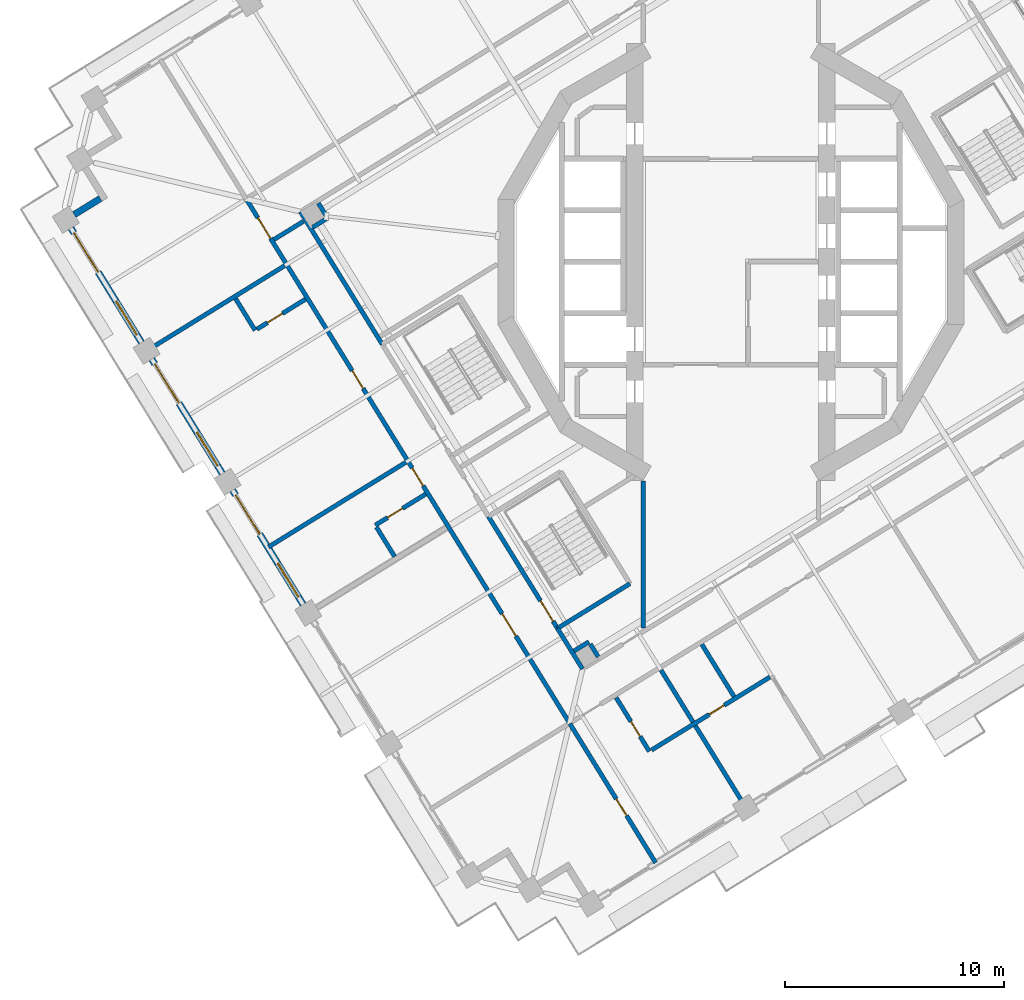
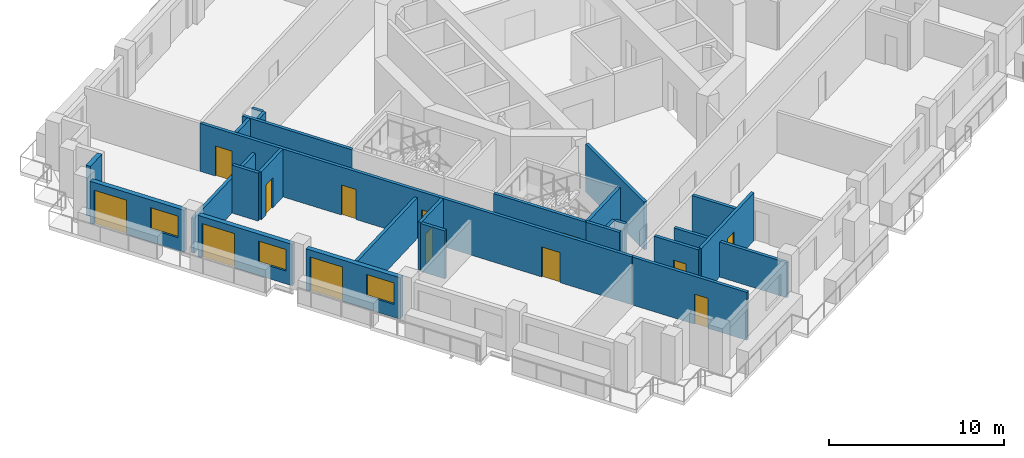
# One storey, part 7 of 21: 26 walls, 13 doors, 3 windows, 16 openings.
"""IFC4 building model written with IfcOpenShell, lengths in metres."""

import ifcopenshell
import ifcopenshell.guid

model = None  # the IFC model being written
_history = None  # IfcOwnerHistory: only IFC2X3 demands one
_inside = {}  # id of a spatial element -> (the spatial element, [elements in it])
_under = {}  # id of a project, library or spatial element -> (it, [spatial elements below it])
_declared = {}  # id of a project -> (the project, [libraries it declares])
_typed = {}  # id of a type object -> (the type object, [elements of that type])
_made_of = {}  # id of a material, layer set ... -> (it, [elements and type objects made of it])


def new_model(schema):
    """Start an empty IFC model of exactly this schema.

    Asked for "IFC4X3", IfcOpenShell would pick the latest addendum, in which some entities
    have other attributes; the version numbers below select the first issue.
    IFC2X3 requires an IfcOwnerHistory on every rooted entity: one is made here for all.
    """
    global model, _history
    if schema == "IFC4X3":
        model = ifcopenshell.file(schema_version=(4, 3, 0, 0))
    else:
        model = ifcopenshell.file(schema=schema)
    _inside.clear()
    _under.clear()
    _declared.clear()
    _typed.clear()
    _made_of.clear()
    _history = None
    if model.schema == "IFC2X3":
        org = make("IfcOrganization", Name="unknown")
        user = make(
            "IfcPersonAndOrganization",
            ThePerson=make("IfcPerson", FamilyName="unknown"),
            TheOrganization=org,
        )
        app = make(
            "IfcApplication",
            ApplicationDeveloper=org,
            Version="unknown",
            ApplicationFullName="unknown",
            ApplicationIdentifier="unknown",
        )
        _history = make(
            "IfcOwnerHistory",
            OwningUser=user,
            OwningApplication=app,
            ChangeAction="ADDED",
            CreationDate=0,
        )
    return model


def make(cls, **values):
    """One entity of the class cls with the attributes given. An attribute that is None is left unset."""
    return model.create_entity(
        cls, **{name: value for name, value in values.items() if value is not None}
    )


def rooted(cls, **values):
    """An entity with a GlobalId (a new one), such as an element, a storey or a relation."""
    return make(cls, GlobalId=ifcopenshell.guid.new(), OwnerHistory=_history, **values)


def si_unit(unit_type, name, prefix=None):
    """IfcSIUnit, for example si_unit("LENGTHUNIT", "METRE", prefix="MILLI")."""
    return make("IfcSIUnit", UnitType=unit_type, Prefix=prefix, Name=name)


def assignment(units):
    """IfcUnitAssignment: the units of a project."""
    return None if units is None else make("IfcUnitAssignment", Units=units)


def point(xyz):
    """IfcCartesianPoint."""
    return None if xyz is None else make("IfcCartesianPoint", Coordinates=xyz)


def direction(xyz):
    """IfcDirection."""
    return None if xyz is None else make("IfcDirection", DirectionRatios=xyz)


def frame(location, z_axis=None, x_axis=None):
    """IfcAxis2Placement3D, a coordinate frame: its origin and axes. An axis left out is left unset."""
    return make(
        "IfcAxis2Placement3D",
        Location=point(location),
        Axis=direction(z_axis),
        RefDirection=direction(x_axis),
    )


def frame_2d(location, x_axis=None):
    """IfcAxis2Placement2D, a coordinate frame in the plane: its origin and x axis."""
    return make(
        "IfcAxis2Placement2D", Location=point(location), RefDirection=direction(x_axis)
    )


def origin():
    """The frame at (0, 0, 0) with its axes left unset."""
    return frame((0.0, 0.0, 0.0))


def place(relative_to, where):
    """IfcLocalPlacement: puts the frame where relative to a parent placement (None: the world)."""
    return make(
        "IfcLocalPlacement", PlacementRelTo=relative_to, RelativePlacement=where
    )


def context(
    kind, dimensions, precision=None, world=None, true_north=None, identifier=None
):
    """IfcGeometricRepresentationContext, for example the 3D "Model" context."""
    return make(
        "IfcGeometricRepresentationContext",
        ContextIdentifier=identifier,
        ContextType=kind,
        CoordinateSpaceDimension=dimensions,
        Precision=precision,
        WorldCoordinateSystem=world,
        TrueNorth=true_north,
    )


def subcontext(parent, identifier, kind, view, scale=None):
    """IfcGeometricRepresentationSubContext, for example "Body" below "Model"."""
    return make(
        "IfcGeometricRepresentationSubContext",
        ContextIdentifier=identifier,
        ContextType=kind,
        ParentContext=parent,
        TargetScale=scale,
        TargetView=view,
    )


def project(units=None, contexts=None):
    """IfcProject with its units and contexts."""
    return rooted(
        "IfcProject",
        Name="project",
        RepresentationContexts=contexts,
        UnitsInContext=assignment(units),
    )


def spatial(cls, under=None, at=None, **own):
    """A site, building, storey or space (cls), placed at a placement, below another one or the project."""
    s = rooted(cls, ObjectPlacement=at, **own)
    if under is not None:
        _under.setdefault(under.id(), (under, []))[1].append(s)
    return s


def profile(cls, at=None, kind="AREA", **sizes):
    """A parametric profile (cls). Its sizes go by their IFC names, for example OverallWidth=200.0."""
    return make(cls, ProfileType=kind, Position=at, **sizes)


def rectangle(**sizes):
    """IfcRectangleProfileDef."""
    return profile("IfcRectangleProfileDef", **sizes)


def extrude(swept, where, along, depth):
    """IfcExtrudedAreaSolid: the profile swept, set in the frame where, extruded along a direction by depth."""
    return make(
        "IfcExtrudedAreaSolid",
        SweptArea=swept,
        Position=where,
        ExtrudedDirection=direction(along),
        Depth=depth,
    )


def shape(context_of_items, identifier, shape_type, items):
    """IfcShapeRepresentation: the items that make up one representation, for example the "Body"."""
    return make(
        "IfcShapeRepresentation",
        ContextOfItems=context_of_items,
        RepresentationIdentifier=identifier,
        RepresentationType=shape_type,
        Items=items,
    )


def material(Name=None, Category=None):
    """IfcMaterial."""
    return make("IfcMaterial", Name=Name, Category=Category)


def layer(
    of_material, thickness, ventilated=None, Name=None, Category=None, Priority=None
):
    """IfcMaterialLayer: one layer of a wall or slab, of a material (None: an air gap)."""
    return make(
        "IfcMaterialLayer",
        Material=of_material,
        LayerThickness=thickness,
        IsVentilated=ventilated,
        Name=Name,
        Category=Category,
        Priority=Priority,
    )


def layer_set(layers, Name=None):
    """IfcMaterialLayerSet."""
    return make("IfcMaterialLayerSet", MaterialLayers=layers, LayerSetName=Name)


def made_of(thing, what):
    """Note that an element or type object is made of a material, layer set ...; save() writes the relation."""
    if what is not None:
        _made_of.setdefault(what.id(), (what, []))[1].append(thing)
    return thing


def type_object(cls, material=None, **own):
    """A type object (cls), such as IfcWallType, which elements share."""
    return made_of(rooted(cls, **own), material)


def element(
    cls,
    number,
    at=None,
    inside=None,
    cuts=None,
    type_object=None,
    material=None,
    context=None,
    identifier="Body",
    shape_type=None,
    held_by="IfcProductDefinitionShape",
    body=None,
    shapes=None,
    **own,
):
    """One element of the class cls, such as IfcWall. Its Tag is "e" and its number.

    at: its placement. inside: the storey or other place that contains it. cuts: it is an
    opening in that element (IfcRelVoidsElement). A single representation is given by context,
    identifier, shape_type and body (its items); several are given by shapes. held_by: the class
    of the entity that holds the representations. save() writes the other relations.
    """
    e = rooted(cls, Tag="e%d" % number, ObjectPlacement=at, **own)
    if body is not None:
        shapes = [shape(context, identifier, shape_type, body)]
    if shapes is not None:
        e.Representation = make(held_by, Representations=shapes)
    if inside is not None:
        _inside.setdefault(inside.id(), (inside, []))[1].append(e)
    if cuts is not None:
        rooted(
            "IfcRelVoidsElement", RelatingBuildingElement=cuts, RelatedOpeningElement=e
        )
    if type_object is not None:
        _typed.setdefault(type_object.id(), (type_object, []))[1].append(e)
    return made_of(e, material)


def fill(opening, filler):
    """IfcRelFillsElement: the door or window that sits in an opening."""
    return rooted(
        "IfcRelFillsElement",
        RelatingOpeningElement=opening,
        RelatedBuildingElement=filler,
    )


def aggregate(whole, parts):
    """IfcRelAggregates: a whole, such as a stair, and the parts it consists of."""
    return rooted("IfcRelAggregates", RelatingObject=whole, RelatedObjects=parts)


def save(model, path):
    """Write the relations noted so far, then the file.

    IfcRelAggregates (storeys below a building ...), IfcRelContainedInSpatialStructure (elements
    in a storey), IfcRelDefinesByType, IfcRelAssociatesMaterial and IfcRelDeclares: one each for
    every whole, place, type object, material and project.
    """
    for whole, parts in _under.values():
        aggregate(whole, parts)
    for where, things in _inside.values():
        rooted(
            "IfcRelContainedInSpatialStructure",
            RelatedElements=things,
            RelatingStructure=where,
        )
    for kind, things in _typed.values():
        rooted("IfcRelDefinesByType", RelatedObjects=things, RelatingType=kind)
    for what, things in _made_of.values():
        rooted("IfcRelAssociatesMaterial", RelatedObjects=things, RelatingMaterial=what)
    for by, libraries in _declared.values():
        rooted("IfcRelDeclares", RelatingContext=by, RelatedDefinitions=libraries)
    model.write(path)


model = new_model("IFC4")

# Units and contexts
model_context = context("Model", 3, precision=1e-05, world=origin(), true_north=direction((0.0, 1.0)))
body_context = subcontext(model_context, "Body", "Model", "MODEL_VIEW")
ifc_project = project(units=[si_unit("LENGTHUNIT", "METRE"), si_unit("AREAUNIT", "SQUARE_METRE"), si_unit("VOLUMEUNIT", "CUBIC_METRE"), si_unit("PLANEANGLEUNIT", "RADIAN"), si_unit("MASSUNIT", "GRAM", prefix="KILO")], contexts=[model_context])

# Site, building, storey
site_placement = place(None, origin())
site = spatial("IfcSite", under=ifc_project, at=site_placement, CompositionType="ELEMENT")
building_placement = place(site_placement, origin())
building = spatial("IfcBuilding", under=site, at=building_placement, Name="Cantera Rosa Tower", CompositionType="ELEMENT")
storey_placement = place(building_placement, frame((0.0, 0.0, 185.60009765625)))
storey = spatial("IfcBuildingStorey", under=building, at=storey_placement, Name="L41", CompositionType="ELEMENT", Elevation=185.60009765625)

# Wall, openings, doors
ifc_material_1 = material(Name="Gypsum board partition")
ifc_layer_1 = layer(ifc_material_1, 0.199951171875)
ifc_layer_set_1 = layer_set([ifc_layer_1], Name="CORRIDOR WALL 200 H3350")
wall_type_1 = type_object("IfcWallType", Name="CORRIDOR WALL 200 H3350", PredefinedType="PARTITIONING", material=ifc_layer_set_1)
wall_1_placement = place(storey_placement, frame((-22.089599609375, 2.859130859375, 0.0), z_axis=(0.0, 0.0, 1.0), x_axis=(0.524972268191, -0.851119332192, 0.0)))
wall_1 = element("IfcWall", 1, at=wall_1_placement, inside=storey, type_object=wall_type_1, Name="CORRIDOR WALL L41-003", PredefinedType="PARTITIONING", context=body_context, shape_type="SweptSolid", body=[
    extrude(rectangle(XDim=28.080078125, YDim=0.199951171875, at=frame_2d((14.0400390625, 0.0))), origin(), (0.0, 0.0, 1.0), 3.349853515625),
])
opening_1_placement = place(wall_1_placement, frame((22.2099609375, 0.0, 0.0)))
opening_1 = element("IfcOpeningElement", 2, at=opening_1_placement, cuts=wall_1, Name="Opening L41-030", PredefinedType="OPENING", context=body_context, shape_type="SweptSolid", body=[
    extrude(rectangle(XDim=1.199951171875, YDim=2.10009765625, at=frame_2d((0.60009765625, 1.050048828125))), frame((0.0, 0.10986328125, 0.0), z_axis=(0.0, -1.0, 0.0), x_axis=(1.0, 0.0, 0.0)), (0.0, 0.0, 1.0), 0.219970703125),
])
opening_2_placement = place(wall_1_placement, frame((9.18994140625, 0.0, 0.0)))
opening_2 = element("IfcOpeningElement", 3, at=opening_2_placement, cuts=wall_1, Name="Opening L41-031", PredefinedType="OPENING", context=body_context, shape_type="SweptSolid", body=[
    extrude(rectangle(XDim=0.949951171875, YDim=2.10009765625, at=frame_2d((0.47509765625, 1.050048828125))), frame((0.0, 0.10986328125, 0.0), z_axis=(0.0, -1.0, 0.0), x_axis=(1.0, 0.0, 0.0)), (0.0, 0.0, 1.0), 0.219970703125),
])
opening_3_placement = place(wall_1_placement, frame((14.409912109375, 0.0, 0.0)))
opening_3 = element("IfcOpeningElement", 4, at=opening_3_placement, cuts=wall_1, Name="Opening L41-033", PredefinedType="OPENING", context=body_context, shape_type="SweptSolid", body=[
    extrude(rectangle(XDim=0.949951171875, YDim=2.10009765625, at=frame_2d((0.47509765625, 1.050048828125))), frame((0.0, 0.10986328125, 0.0), z_axis=(0.0, -1.0, 0.0), x_axis=(1.0, 0.0, 0.0)), (0.0, 0.0, 1.0), 0.219970703125),
])
opening_4_placement = place(wall_1_placement, frame((0.998046875, 0.0, 0.0)))
opening_4 = element("IfcOpeningElement", 5, at=opening_4_placement, cuts=wall_1, Name="Opening L41-035", PredefinedType="OPENING", context=body_context, shape_type="SweptSolid", body=[
    extrude(rectangle(XDim=1.10009765625, YDim=2.10009765625, at=frame_2d((0.550048828125, 1.050048828125))), frame((0.0, 0.10986328125, 0.0), z_axis=(0.0, -1.0, 0.0), x_axis=(1.0, 0.0, 0.0)), (0.0, 0.0, 1.0), 0.219970703125),
])
ifc_material_2 = material(Name="Timber door leaf", Category="wood")
door_type_1 = type_object("IfcDoorType", Name="ROOM DOOR 1100x2100", OperationType="NOTDEFINED", PredefinedType="DOOR", material=ifc_material_2)
door_1_placement = place(opening_4_placement, origin())
door_1 = element("IfcDoor", 6, at=door_1_placement, inside=storey, type_object=door_type_1, Name="DOOR L41-035", OperationType="NOTDEFINED", OverallHeight=2.10009765625, OverallWidth=1.10009765625, PredefinedType="DOOR", context=body_context, shape_type="SweptSolid", body=[
    extrude(rectangle(XDim=1.10009765625, YDim=2.10009765625, at=frame_2d((0.550048828125, 1.050048828125))), frame((0.0, 0.02490234375, 0.0), z_axis=(0.0, -1.0, 0.0), x_axis=(1.0, 0.0, 0.0)), (0.0, 0.0, 1.0), 0.050048828125),
])
fill(opening_4, door_1)
ifc_material_3 = material(Name="Timber door leaf", Category="wood")
door_type_2 = type_object("IfcDoorType", Name="ROOM DOOR 1200x2100", OperationType="NOTDEFINED", PredefinedType="DOOR", material=ifc_material_3)
door_2_placement = place(opening_1_placement, origin())
door_2 = element("IfcDoor", 7, at=door_2_placement, inside=storey, type_object=door_type_2, Name="DOOR L41-030", OperationType="NOTDEFINED", OverallHeight=2.10009765625, OverallWidth=1.199951171875, PredefinedType="DOOR", context=body_context, shape_type="SweptSolid", body=[
    extrude(rectangle(XDim=1.199951171875, YDim=2.10009765625, at=frame_2d((0.60009765625, 1.050048828125))), frame((0.0, 0.02490234375, 0.0), z_axis=(0.0, -1.0, 0.0), x_axis=(1.0, 0.0, 0.0)), (0.0, 0.0, 1.0), 0.050048828125),
])
fill(opening_1, door_2)
ifc_material_4 = material(Name="Timber door leaf", Category="wood")
door_type_3 = type_object("IfcDoorType", Name="ROOM DOOR 950x2100", OperationType="NOTDEFINED", PredefinedType="DOOR", material=ifc_material_4)
door_3_placement = place(opening_2_placement, origin())
door_3 = element("IfcDoor", 8, at=door_3_placement, inside=storey, type_object=door_type_3, Name="DOOR L41-031", OperationType="NOTDEFINED", OverallHeight=2.10009765625, OverallWidth=0.949951171875, PredefinedType="DOOR", context=body_context, shape_type="SweptSolid", body=[
    extrude(rectangle(XDim=0.949951171875, YDim=2.10009765625, at=frame_2d((0.47509765625, 1.050048828125))), frame((0.0, 0.02490234375, 0.0), z_axis=(0.0, -1.0, 0.0), x_axis=(1.0, 0.0, 0.0)), (0.0, 0.0, 1.0), 0.050048828125),
])
fill(opening_2, door_3)
door_4_placement = place(opening_3_placement, origin())
door_4 = element("IfcDoor", 9, at=door_4_placement, inside=storey, type_object=door_type_3, Name="DOOR L41-033", OperationType="NOTDEFINED", OverallHeight=2.10009765625, OverallWidth=0.949951171875, PredefinedType="DOOR", context=body_context, shape_type="SweptSolid", body=[
    extrude(rectangle(XDim=0.949951171875, YDim=2.10009765625, at=frame_2d((0.47509765625, 1.050048828125))), frame((0.0, 0.02490234375, 0.0), z_axis=(0.0, -1.0, 0.0), x_axis=(1.0, 0.0, 0.0)), (0.0, 0.0, 1.0), 0.050048828125),
])
fill(opening_3, door_4)

# Walls
wall_2_placement = place(storey_placement, frame((-20.8349609375, 1.015380859375, 0.0), z_axis=(0.0, 0.0, 1.0), x_axis=(0.851143253059, 0.52493348414, 0.0)))
element("IfcWall", 10, at=wall_2_placement, inside=storey, type_object=wall_type_1, Name="CORRIDOR WALL L41-005", PredefinedType="PARTITIONING", context=body_context, shape_type="SweptSolid", body=[
    extrude(rectangle(XDim=1.579833984375, YDim=0.199951171875, at=frame_2d((0.7900390625, 0.0))), origin(), (0.0, 0.0, 1.0), 3.349853515625),
])
wall_3_placement = place(storey_placement, frame((-19.623291015625, 2.2890625, 0.0), z_axis=(0.0, 0.0, 1.0), x_axis=(0.524973806956, -0.851118383076, 0.0)))
element("IfcWall", 11, at=wall_3_placement, inside=storey, type_object=wall_type_1, Name="CORRIDOR WALL L41-006", PredefinedType="PARTITIONING", context=body_context, shape_type="SweptSolid", body=[
    extrude(rectangle(XDim=7.100830078125, YDim=0.199951171875, at=frame_2d((3.55029296875, 0.0))), origin(), (0.0, 0.0, 1.0), 3.349853515625),
])
wall_4_placement = place(storey_placement, frame((-7.9033203125, -16.7119140625, 0.0), z_axis=(0.0, 0.0, 1.0), x_axis=(0.525036414636, -0.851079763187, 0.0)))
element("IfcWall", 12, at=wall_4_placement, inside=storey, type_object=wall_type_1, Name="CORRIDOR WALL L41-023", PredefinedType="PARTITIONING", context=body_context, shape_type="SweptSolid", body=[
    extrude(rectangle(XDim=2.17529296875, YDim=0.199951171875, at=frame_2d((1.087646484375, 0.0))), origin(), (0.0, 0.0, 1.0), 3.349853515625),
])
wall_5_placement = place(storey_placement, frame((-4.0, -9.994140625, 0.0), z_axis=(0.0, 0.0, 1.0), x_axis=(0.0, -1.0, 0.0)))
element("IfcWall", 13, at=wall_5_placement, inside=storey, type_object=wall_type_1, Name="CORRIDOR WALL L41-048", PredefinedType="PARTITIONING", context=body_context, shape_type="SweptSolid", body=[
    extrude(rectangle(XDim=6.7060546875, YDim=0.199951171875, at=frame_2d((3.35302734375, 0.0))), origin(), (0.0, 0.0, 1.0), 3.349853515625),
])
ifc_material_5 = material(Name="Hollow clay masonry with cantera stone cladding", Category="masonry")
ifc_layer_2 = layer(ifc_material_5, 0.300048828125)
ifc_layer_set_2 = layer_set([ifc_layer_2], Name="EW-LOGGIA 300")
wall_type_2 = type_object("IfcWallType", Name="EW-LOGGIA 300", PredefinedType="SOLIDWALL", material=ifc_layer_set_2)
wall_6_placement = place(storey_placement, frame((-28.74658203125, 2.888916015625, 0.0), z_axis=(0.0, 0.0, 1.0), x_axis=(-0.851040987269, -0.525099264891, 0.0)))
element("IfcWall", 14, at=wall_6_placement, inside=storey, type_object=wall_type_2, Name="EN-L41-W14b", PredefinedType="SOLIDWALL", context=body_context, shape_type="SweptSolid", body=[
    extrude(rectangle(XDim=1.39990234375, YDim=0.300048828125, at=frame_2d((0.699951171875, 0.0))), origin(), (0.0, 0.0, 1.0), 3.5),
])

# Wall, openings, window, door
ifc_material_6 = material(Name="Hollow clay masonry with cantera stone cladding", Category="masonry")
ifc_layer_3 = layer(ifc_material_6, 0.300048828125)
ifc_layer_set_3 = layer_set([ifc_layer_3], Name="EW-LOGGIA 300 H2890")
wall_type_3 = type_object("IfcWallType", Name="EW-LOGGIA 300 H2890", PredefinedType="SOLIDWALL", material=ifc_layer_set_3)
wall_7_placement = place(storey_placement, frame((-26.3994140625, -4.440185546875, 0.0), z_axis=(0.0, 0.0, 1.0), x_axis=(0.524987447654, -0.851109969279, 0.0)))
wall_7 = element("IfcWall", 15, at=wall_7_placement, inside=storey, type_object=wall_type_3, Name="EN-L41-W16", PredefinedType="SOLIDWALL", context=body_context, shape_type="SweptSolid", body=[
    extrude(rectangle(XDim=6.119873046875, YDim=0.300048828125, at=frame_2d((3.06005859375, 0.0))), origin(), (0.0, 0.0, 1.0), 2.889892578125),
])
opening_5_placement = place(wall_7_placement, frame((0.2548828125, 0.0, 0.0)))
opening_5 = element("IfcOpeningElement", 16, at=opening_5_placement, cuts=wall_7, Name="Opening L41-TD19", PredefinedType="OPENING", context=body_context, shape_type="SweptSolid", body=[
    extrude(rectangle(XDim=2.10009765625, YDim=2.39990234375, at=frame_2d((1.050048828125, 1.199951171875))), frame((0.0, 0.159912109375, 0.0), z_axis=(0.0, -1.0, 0.0), x_axis=(1.0, 0.0, 0.0)), (0.0, 0.0, 1.0), 0.320068359375),
])
opening_6_placement = place(wall_7_placement, frame((3.9150390625, 0.0, 0.89990234375)))
opening_6 = element("IfcOpeningElement", 17, at=opening_6_placement, cuts=wall_7, Name="Opening L41-W20", PredefinedType="OPENING", context=body_context, shape_type="SweptSolid", body=[
    extrude(rectangle(XDim=1.800048828125, YDim=1.5, at=frame_2d((0.89990234375, 0.75))), frame((0.0, 0.159912109375, 0.0), z_axis=(0.0, -1.0, 0.0), x_axis=(1.0, 0.0, 0.0)), (0.0, 0.0, 1.0), 0.320068359375),
])
ifc_material_7 = material(Name="Aluminium frame with clear glass", Category="aluminium")
window_type = type_object("IfcWindowType", Name="Hotel room window 1800x1500", PartitioningType="DOUBLE_PANEL_VERTICAL", PredefinedType="WINDOW", material=ifc_material_7)
window_1_placement = place(opening_6_placement, origin())
window_1 = element("IfcWindow", 18, at=window_1_placement, inside=storey, type_object=window_type, Name="WINDOW L41-W20", OverallHeight=1.5, OverallWidth=1.800048828125, PartitioningType="SINGLE_PANEL", PredefinedType="WINDOW", context=body_context, shape_type="SweptSolid", body=[
    extrude(rectangle(XDim=1.800048828125, YDim=1.5, at=frame_2d((0.89990234375, 0.75))), frame((0.0, 0.030029296875, 0.0), z_axis=(0.0, -1.0, 0.0), x_axis=(1.0, 0.0, 0.0)), (0.0, 0.0, 1.0), 0.06005859375),
])
fill(opening_6, window_1)
ifc_material_8 = material(Name="Aluminium frame with clear glass", Category="aluminium")
door_type_4 = type_object("IfcDoorType", Name="TD-H 2100x2400", OperationType="NOTDEFINED", PredefinedType="DOOR", material=ifc_material_8)
door_5_placement = place(opening_5_placement, origin())
door_5 = element("IfcDoor", 19, at=door_5_placement, inside=storey, type_object=door_type_4, Name="LOGGIA DOOR L41-TD19", OperationType="SLIDING_TO_LEFT", OverallHeight=2.39990234375, OverallWidth=2.10009765625, PredefinedType="DOOR", context=body_context, shape_type="SweptSolid", body=[
    extrude(rectangle(XDim=2.10009765625, YDim=2.39990234375, at=frame_2d((1.050048828125, 1.199951171875))), frame((0.0, 0.02490234375, 0.0), z_axis=(0.0, -1.0, 0.0), x_axis=(1.0, 0.0, 0.0)), (0.0, 0.0, 1.0), 0.050048828125),
])
fill(opening_5, door_5)

wall_8_placement = place(storey_placement, frame((-22.714111328125, -10.4150390625, 0.0), z_axis=(0.0, 0.0, 1.0), x_axis=(0.524987447654, -0.851109969279, 0.0)))
wall_8 = element("IfcWall", 20, at=wall_8_placement, inside=storey, type_object=wall_type_3, Name="EN-L41-W17", PredefinedType="SOLIDWALL", context=body_context, shape_type="SweptSolid", body=[
    extrude(rectangle(XDim=6.119873046875, YDim=0.300048828125, at=frame_2d((3.06005859375, 0.0))), origin(), (0.0, 0.0, 1.0), 2.889892578125),
])
opening_7_placement = place(wall_8_placement, frame((0.2548828125, 0.0, 0.0)))
opening_7 = element("IfcOpeningElement", 21, at=opening_7_placement, cuts=wall_8, Name="Opening L41-TD21", PredefinedType="OPENING", context=body_context, shape_type="SweptSolid", body=[
    extrude(rectangle(XDim=2.10009765625, YDim=2.39990234375, at=frame_2d((1.050048828125, 1.199951171875))), frame((0.0, 0.159912109375, 0.0), z_axis=(0.0, -1.0, 0.0), x_axis=(1.0, 0.0, 0.0)), (0.0, 0.0, 1.0), 0.320068359375),
])
opening_8_placement = place(wall_8_placement, frame((3.9150390625, 0.0, 0.89990234375)))
opening_8 = element("IfcOpeningElement", 22, at=opening_8_placement, cuts=wall_8, Name="Opening L41-W22", PredefinedType="OPENING", context=body_context, shape_type="SweptSolid", body=[
    extrude(rectangle(XDim=1.800048828125, YDim=1.5, at=frame_2d((0.89990234375, 0.75))), frame((0.0, 0.159912109375, 0.0), z_axis=(0.0, -1.0, 0.0), x_axis=(1.0, 0.0, 0.0)), (0.0, 0.0, 1.0), 0.320068359375),
])
window_2_placement = place(opening_8_placement, origin())
window_2 = element("IfcWindow", 23, at=window_2_placement, inside=storey, type_object=window_type, Name="WINDOW L41-W22", OverallHeight=1.5, OverallWidth=1.800048828125, PartitioningType="SINGLE_PANEL", PredefinedType="WINDOW", context=body_context, shape_type="SweptSolid", body=[
    extrude(rectangle(XDim=1.800048828125, YDim=1.5, at=frame_2d((0.89990234375, 0.75))), frame((0.0, 0.030029296875, 0.0), z_axis=(0.0, -1.0, 0.0), x_axis=(1.0, 0.0, 0.0)), (0.0, 0.0, 1.0), 0.06005859375),
])
fill(opening_8, window_2)
door_6_placement = place(opening_7_placement, origin())
door_6 = element("IfcDoor", 24, at=door_6_placement, inside=storey, type_object=door_type_4, Name="LOGGIA DOOR L41-TD21", OperationType="SLIDING_TO_LEFT", OverallHeight=2.39990234375, OverallWidth=2.10009765625, PredefinedType="DOOR", context=body_context, shape_type="SweptSolid", body=[
    extrude(rectangle(XDim=2.10009765625, YDim=2.39990234375, at=frame_2d((1.050048828125, 1.199951171875))), frame((0.0, 0.02490234375, 0.0), z_axis=(0.0, -1.0, 0.0), x_axis=(1.0, 0.0, 0.0)), (0.0, 0.0, 1.0), 0.050048828125),
])
fill(opening_7, door_6)

ifc_material_9 = material(Name="Hollow clay masonry with cantera stone cladding", Category="masonry")
ifc_layer_4 = layer(ifc_material_9, 0.300048828125)
ifc_layer_set_4 = layer_set([ifc_layer_4], Name="EW-LOGGIA 300 H2940")
wall_type_4 = type_object("IfcWallType", Name="EW-LOGGIA 300 H2940", PredefinedType="SOLIDWALL", material=ifc_layer_set_4)
wall_9_placement = place(storey_placement, frame((-30.084716796875, 1.53466796875, 0.0), z_axis=(0.0, 0.0, 1.0), x_axis=(0.524987447654, -0.851109969279, 0.0)))
wall_9 = element("IfcWall", 25, at=wall_9_placement, inside=storey, type_object=wall_type_4, Name="EN-L41-W15", PredefinedType="SOLIDWALL", context=body_context, shape_type="SweptSolid", body=[
    extrude(rectangle(XDim=6.119873046875, YDim=0.300048828125, at=frame_2d((3.06005859375, 0.0))), origin(), (0.0, 0.0, 1.0), 2.93994140625),
])
opening_9_placement = place(wall_9_placement, frame((0.2548828125, 0.0, 0.0)))
opening_9 = element("IfcOpeningElement", 26, at=opening_9_placement, cuts=wall_9, Name="Opening L41-TD17", PredefinedType="OPENING", context=body_context, shape_type="SweptSolid", body=[
    extrude(rectangle(XDim=2.10009765625, YDim=2.39990234375, at=frame_2d((1.050048828125, 1.199951171875))), frame((0.0, 0.159912109375, 0.0), z_axis=(0.0, -1.0, 0.0), x_axis=(1.0, 0.0, 0.0)), (0.0, 0.0, 1.0), 0.320068359375),
])
opening_10_placement = place(wall_9_placement, frame((3.9150390625, 0.0, 0.89990234375)))
opening_10 = element("IfcOpeningElement", 27, at=opening_10_placement, cuts=wall_9, Name="Opening L41-W18", PredefinedType="OPENING", context=body_context, shape_type="SweptSolid", body=[
    extrude(rectangle(XDim=1.800048828125, YDim=1.5, at=frame_2d((0.89990234375, 0.75))), frame((0.0, 0.159912109375, 0.0), z_axis=(0.0, -1.0, 0.0), x_axis=(1.0, 0.0, 0.0)), (0.0, 0.0, 1.0), 0.320068359375),
])
window_3_placement = place(opening_10_placement, origin())
window_3 = element("IfcWindow", 28, at=window_3_placement, inside=storey, type_object=window_type, Name="WINDOW L41-W18", OverallHeight=1.5, OverallWidth=1.800048828125, PartitioningType="SINGLE_PANEL", PredefinedType="WINDOW", context=body_context, shape_type="SweptSolid", body=[
    extrude(rectangle(XDim=1.800048828125, YDim=1.5, at=frame_2d((0.89990234375, 0.75))), frame((0.0, 0.030029296875, 0.0), z_axis=(0.0, -1.0, 0.0), x_axis=(1.0, 0.0, 0.0)), (0.0, 0.0, 1.0), 0.06005859375),
])
fill(opening_10, window_3)
door_7_placement = place(opening_9_placement, origin())
door_7 = element("IfcDoor", 29, at=door_7_placement, inside=storey, type_object=door_type_4, Name="LOGGIA DOOR L41-TD17", OperationType="SLIDING_TO_LEFT", OverallHeight=2.39990234375, OverallWidth=2.10009765625, PredefinedType="DOOR", context=body_context, shape_type="SweptSolid", body=[
    extrude(rectangle(XDim=2.10009765625, YDim=2.39990234375, at=frame_2d((1.050048828125, 1.199951171875))), frame((0.0, 0.02490234375, 0.0), z_axis=(0.0, -1.0, 0.0), x_axis=(1.0, 0.0, 0.0)), (0.0, 0.0, 1.0), 0.050048828125),
])
fill(opening_9, door_7)

# Wall
ifc_material_10 = material(Name="Gypsum board partition")
ifc_layer_5 = layer(ifc_material_10, 0.199951171875)
ifc_layer_set_5 = layer_set([ifc_layer_5], Name="PARTITION 200 H3350")
wall_type_5 = type_object("IfcWallType", Name="PARTITION 200 H3350", PredefinedType="PARTITIONING", material=ifc_layer_set_5)
wall_10_placement = place(storey_placement, frame((-21.6904296875, -3.121826171875, 0.0), z_axis=(0.0, 0.0, 1.0), x_axis=(-0.524994468487, 0.851105638601, 0.0)))
element("IfcWall", 30, at=wall_10_placement, inside=storey, type_object=wall_type_5, Name="PARTITION L41-004", PredefinedType="PARTITIONING", context=body_context, shape_type="SweptSolid", body=[
    extrude(rectangle(XDim=1.7001953125, YDim=0.199951171875, at=frame_2d((0.85009765625, 0.0))), origin(), (0.0, 0.0, 1.0), 3.349853515625),
])

# Wall, opening, door
wall_11_placement = place(storey_placement, frame((-19.392578125, -1.704345703125, 0.0), z_axis=(0.0, 0.0, 1.0), x_axis=(-0.851106537623, -0.524993011016, 0.0)))
wall_11 = element("IfcWall", 31, at=wall_11_placement, inside=storey, type_object=wall_type_5, Name="PARTITION L41-007", PredefinedType="PARTITIONING", context=body_context, shape_type="SweptSolid", body=[
    extrude(rectangle(XDim=2.60009765625, YDim=0.199951171875, at=frame_2d((1.300048828125, 0.0))), origin(), (0.0, 0.0, 1.0), 3.349853515625),
])
opening_11_placement = place(wall_11_placement, frame((1.236083984375, 0.0, 0.0)))
opening_11 = element("IfcOpeningElement", 32, at=opening_11_placement, cuts=wall_11, Name="Opening L41-032", PredefinedType="OPENING", context=body_context, shape_type="SweptSolid", body=[
    extrude(rectangle(XDim=0.800048828125, YDim=2.10009765625, at=frame_2d((0.39990234375, 1.050048828125))), frame((0.0, 0.10986328125, 0.0), z_axis=(0.0, -1.0, 0.0), x_axis=(1.0, 0.0, 0.0)), (0.0, 0.0, 1.0), 0.219970703125),
])
ifc_material_11 = material(Name="Timber door leaf", Category="wood")
door_type_5 = type_object("IfcDoorType", Name="BATHROOM DOOR 800x2100", OperationType="NOTDEFINED", PredefinedType="DOOR", material=ifc_material_11)
door_8_placement = place(opening_11_placement, origin())
door_8 = element("IfcDoor", 33, at=door_8_placement, inside=storey, type_object=door_type_5, Name="DOOR L41-032", OperationType="NOTDEFINED", OverallHeight=2.10009765625, OverallWidth=0.800048828125, PredefinedType="DOOR", context=body_context, shape_type="SweptSolid", body=[
    extrude(rectangle(XDim=0.800048828125, YDim=2.10009765625, at=frame_2d((0.39990234375, 1.050048828125))), frame((0.0, 0.02490234375, 0.0), z_axis=(0.0, -1.0, 0.0), x_axis=(1.0, 0.0, 0.0)), (0.0, 0.0, 1.0), 0.050048828125),
])
fill(opening_11, door_8)

# Walls
wall_12_placement = place(storey_placement, frame((-19.065673828125, 1.575439453125, 0.0), z_axis=(0.0, 0.0, 1.0), x_axis=(0.85101860469, 0.525135539144, 0.0)))
element("IfcWall", 34, at=wall_12_placement, inside=storey, type_object=wall_type_5, Name="PARTITION L41-008", PredefinedType="PARTITIONING", context=body_context, shape_type="SweptSolid", body=[
    extrude(rectangle(XDim=0.800048828125, YDim=0.199951171875, at=frame_2d((0.39990234375, 0.0))), origin(), (0.0, 0.0, 1.0), 3.349853515625),
])
wall_13_placement = place(storey_placement, frame((-18.437255859375, 2.08056640625, 0.0), z_axis=(0.0, 0.0, 1.0), x_axis=(-0.524817119332, 0.851215008829, 0.0)))
element("IfcWall", 35, at=wall_13_placement, inside=storey, type_object=wall_type_5, Name="PARTITION L41-009", PredefinedType="PARTITIONING", context=body_context, shape_type="SweptSolid", body=[
    extrude(rectangle(XDim=0.7001953125, YDim=0.199951171875, at=frame_2d((0.35009765625, 0.0))), origin(), (0.0, 0.0, 1.0), 3.349853515625),
])

# Wall, opening, door
wall_14_placement = place(storey_placement, frame((-16.209716796875, -12.00732421875, 0.0), z_axis=(0.0, 0.0, 1.0), x_axis=(0.851158076586, 0.524909448059, 0.0)))
wall_14 = element("IfcWall", 36, at=wall_14_placement, inside=storey, type_object=wall_type_5, Name="PARTITION L41-010", PredefinedType="PARTITIONING", context=body_context, shape_type="SweptSolid", body=[
    extrude(rectangle(XDim=2.699951171875, YDim=0.199951171875, at=frame_2d((1.35009765625, 0.0))), origin(), (0.0, 0.0, 1.0), 3.349853515625),
])
opening_12_placement = place(wall_14_placement, frame((0.6640625, 0.0, 0.0)))
opening_12 = element("IfcOpeningElement", 37, at=opening_12_placement, cuts=wall_14, Name="Opening L41-034", PredefinedType="OPENING", context=body_context, shape_type="SweptSolid", body=[
    extrude(rectangle(XDim=0.800048828125, YDim=2.10009765625, at=frame_2d((0.39990234375, 1.050048828125))), frame((0.0, 0.10986328125, 0.0), z_axis=(0.0, -1.0, 0.0), x_axis=(1.0, 0.0, 0.0)), (0.0, 0.0, 1.0), 0.219970703125),
])
door_9_placement = place(opening_12_placement, origin())
door_9 = element("IfcDoor", 38, at=door_9_placement, inside=storey, type_object=door_type_5, Name="DOOR L41-034", OperationType="NOTDEFINED", OverallHeight=2.10009765625, OverallWidth=0.800048828125, PredefinedType="DOOR", context=body_context, shape_type="SweptSolid", body=[
    extrude(rectangle(XDim=0.800048828125, YDim=2.10009765625, at=frame_2d((0.39990234375, 1.050048828125))), frame((0.0, 0.02490234375, 0.0), z_axis=(0.0, -1.0, 0.0), x_axis=(1.0, 0.0, 0.0)), (0.0, 0.0, 1.0), 0.050048828125),
])
fill(opening_12, door_9)

# Wall
wall_15_placement = place(storey_placement, frame((-15.327880859375, -13.437255859375, 0.0), z_axis=(0.0, 0.0, 1.0), x_axis=(-0.52493348414, 0.851143253059, 0.0)))
element("IfcWall", 39, at=wall_15_placement, inside=storey, type_object=wall_type_5, Name="PARTITION L41-013", PredefinedType="PARTITIONING", context=body_context, shape_type="SweptSolid", body=[
    extrude(rectangle(XDim=1.579833984375, YDim=0.199951171875, at=frame_2d((0.7900390625, 0.0))), origin(), (0.0, 0.0, 1.0), 3.349853515625),
])

# Wall, opening, door
wall_16_placement = place(storey_placement, frame((-7.337890625, -21.057373046875, 0.0), z_axis=(0.0, 0.0, 1.0), x_axis=(0.524982084645, -0.851113277303, 0.0)))
wall_16 = element("IfcWall", 40, at=wall_16_placement, inside=storey, type_object=wall_type_5, Name="PARTITION L41-032", PredefinedType="PARTITIONING", context=body_context, shape_type="SweptSolid", body=[
    extrude(rectangle(XDim=7.449951171875, YDim=0.199951171875, at=frame_2d((3.72509765625, 0.0))), origin(), (0.0, 0.0, 1.0), 3.349853515625),
])
opening_13_placement = place(wall_16_placement, frame((4.030029296875, 0.0, 0.0)))
opening_13 = element("IfcOpeningElement", 41, at=opening_13_placement, cuts=wall_16, Name="Opening L41-045", PredefinedType="OPENING", context=body_context, shape_type="SweptSolid", body=[
    extrude(rectangle(XDim=0.89990234375, YDim=2.10009765625, at=frame_2d((0.449951171875, 1.050048828125))), frame((0.0, 0.10986328125, 0.0), z_axis=(0.0, -1.0, 0.0), x_axis=(1.0, 0.0, 0.0)), (0.0, 0.0, 1.0), 0.219970703125),
])
ifc_material_12 = material(Name="Timber door leaf", Category="wood")
door_type_6 = type_object("IfcDoorType", Name="ROOM DOOR 900x2100", OperationType="NOTDEFINED", PredefinedType="DOOR", material=ifc_material_12)
door_10_placement = place(opening_13_placement, origin())
door_10 = element("IfcDoor", 42, at=door_10_placement, inside=storey, type_object=door_type_6, Name="DOOR L41-045", OperationType="NOTDEFINED", OverallHeight=2.10009765625, OverallWidth=0.89990234375, PredefinedType="DOOR", context=body_context, shape_type="SweptSolid", body=[
    extrude(rectangle(XDim=0.89990234375, YDim=2.10009765625, at=frame_2d((0.449951171875, 1.050048828125))), frame((0.0, 0.02490234375, 0.0), z_axis=(0.0, -1.0, 0.0), x_axis=(1.0, 0.0, 0.0)), (0.0, 0.0, 1.0), 0.050048828125),
])
fill(opening_13, door_10)

# Walls
wall_17_placement = place(storey_placement, frame((-6.4677734375, -17.32470703125, 0.0), z_axis=(0.0, 0.0, 1.0), x_axis=(-0.85101860469, -0.525135539144, 0.0)))
element("IfcWall", 43, at=wall_17_placement, inside=storey, type_object=wall_type_5, Name="PARTITION L41-039", PredefinedType="PARTITIONING", context=body_context, shape_type="SweptSolid", body=[
    extrude(rectangle(XDim=0.800048828125, YDim=0.199951171875, at=frame_2d((0.39990234375, 0.0))), origin(), (0.0, 0.0, 1.0), 3.349853515625),
])
wall_18_placement = place(storey_placement, frame((-6.0478515625, -18.005615234375, 0.0), z_axis=(0.0, 0.0, 1.0), x_axis=(-0.525018782991, 0.851090640006, 0.0)))
element("IfcWall", 44, at=wall_18_placement, inside=storey, type_object=wall_type_5, Name="PARTITION L41-041", PredefinedType="PARTITIONING", context=body_context, shape_type="SweptSolid", body=[
    extrude(rectangle(XDim=0.679931640625, YDim=0.199951171875, at=frame_2d((0.33984375, 0.0))), origin(), (0.0, 0.0, 1.0), 3.349853515625),
])

# Wall, opening, door
wall_19_placement = place(storey_placement, frame((-3.7138671875, -22.3232421875, 0.0), z_axis=(0.0, 0.0, 1.0), x_axis=(-0.524929648476, 0.851145618652, 0.0)))
wall_19 = element("IfcWall", 45, at=wall_19_placement, inside=storey, type_object=wall_type_5, Name="PARTITION L41-051", PredefinedType="PARTITIONING", context=body_context, shape_type="SweptSolid", body=[
    extrude(rectangle(XDim=2.8798828125, YDim=0.199951171875, at=frame_2d((1.43994140625, 0.0))), origin(), (0.0, 0.0, 1.0), 3.349853515625),
])
opening_14_placement = place(wall_19_placement, frame((0.800048828125, 0.0, 0.0)))
opening_14 = element("IfcOpeningElement", 46, at=opening_14_placement, cuts=wall_19, Name="Opening L41-044", PredefinedType="OPENING", context=body_context, shape_type="SweptSolid", body=[
    extrude(rectangle(XDim=0.800048828125, YDim=2.10009765625, at=frame_2d((0.39990234375, 1.050048828125))), frame((0.0, 0.10986328125, 0.0), z_axis=(0.0, -1.0, 0.0), x_axis=(1.0, 0.0, 0.0)), (0.0, 0.0, 1.0), 0.219970703125),
])
door_11_placement = place(opening_14_placement, origin())
door_11 = element("IfcDoor", 47, at=door_11_placement, inside=storey, type_object=door_type_5, Name="DOOR L41-044", OperationType="NOTDEFINED", OverallHeight=2.10009765625, OverallWidth=0.800048828125, PredefinedType="DOOR", context=body_context, shape_type="SweptSolid", body=[
    extrude(rectangle(XDim=0.800048828125, YDim=2.10009765625, at=frame_2d((0.39990234375, 1.050048828125))), frame((0.0, 0.02490234375, 0.0), z_axis=(0.0, -1.0, 0.0), x_axis=(1.0, 0.0, 0.0)), (0.0, 0.0, 1.0), 0.050048828125),
])
fill(opening_14, door_11)

wall_20_placement = place(storey_placement, frame((-3.611572265625, -22.26025390625, 0.0), z_axis=(0.0, 0.0, 1.0), x_axis=(0.851111795965, 0.524984486218, 0.0)))
wall_20 = element("IfcWall", 48, at=wall_20_placement, inside=storey, type_object=wall_type_5, Name="PARTITION L41-052", PredefinedType="PARTITIONING", context=body_context, shape_type="SweptSolid", body=[
    extrude(rectangle(XDim=6.33984375, YDim=0.199951171875, at=frame_2d((3.169921875, 0.0))), origin(), (0.0, 0.0, 1.0), 3.349853515625),
])
opening_15_placement = place(wall_20_placement, frame((3.090087890625, 0.0, 0.0)))
opening_15 = element("IfcOpeningElement", 49, at=opening_15_placement, cuts=wall_20, Name="Opening L41-038", PredefinedType="OPENING", context=body_context, shape_type="SweptSolid", body=[
    extrude(rectangle(XDim=0.800048828125, YDim=2.10009765625, at=frame_2d((0.39990234375, 1.050048828125))), frame((0.0, 0.10986328125, 0.0), z_axis=(0.0, -1.0, 0.0), x_axis=(1.0, 0.0, 0.0)), (0.0, 0.0, 1.0), 0.219970703125),
])
door_12_placement = place(opening_15_placement, origin())
door_12 = element("IfcDoor", 50, at=door_12_placement, inside=storey, type_object=door_type_5, Name="DOOR L41-038", OperationType="NOTDEFINED", OverallHeight=2.10009765625, OverallWidth=0.800048828125, PredefinedType="DOOR", context=body_context, shape_type="SweptSolid", body=[
    extrude(rectangle(XDim=0.800048828125, YDim=2.10009765625, at=frame_2d((0.39990234375, 1.050048828125))), frame((0.0, 0.02490234375, 0.0), z_axis=(0.0, -1.0, 0.0), x_axis=(1.0, 0.0, 0.0)), (0.0, 0.0, 1.0), 0.050048828125),
])
fill(opening_15, door_12)

# Walls
wall_21_placement = place(storey_placement, frame((-1.321044921875, -17.440185546875, 0.0), z_axis=(0.0, 0.0, 1.0), x_axis=(0.524997143301, -0.851103988667, 0.0)))
element("IfcWall", 51, at=wall_21_placement, inside=storey, type_object=wall_type_5, Name="PARTITION L41-053", PredefinedType="PARTITIONING", context=body_context, shape_type="SweptSolid", body=[
    extrude(rectangle(XDim=2.800048828125, YDim=0.199951171875, at=frame_2d((1.39990234375, 0.0))), origin(), (0.0, 0.0, 1.0), 3.349853515625),
])
ifc_material_13 = material(Name="Gypsum board partition")
ifc_layer_6 = layer(ifc_material_13, 0.199951171875)
ifc_layer_set_6 = layer_set([ifc_layer_6], Name="PARTY WALL 200 H2450")
wall_type_6 = type_object("IfcWallType", Name="PARTY WALL 200 H2450", PredefinedType="PARTITIONING", material=ifc_layer_set_6)
wall_22_placement = place(storey_placement, frame((-26.610107421875, -4.04150390625, 0.0), z_axis=(0.0, 0.0, 1.0), x_axis=(0.851111911821, 0.52498429839, 0.0)))
element("IfcWall", 52, at=wall_22_placement, inside=storey, type_object=wall_type_6, Name="PARTY WALL L41-001", PredefinedType="PARTITIONING", context=body_context, shape_type="SweptSolid", body=[
    extrude(rectangle(XDim=7.3701171875, YDim=0.199951171875, at=frame_2d((3.68505859375, 0.0))), origin(), (0.0, 0.0, 1.0), 2.449951171875),
])
wall_23_placement = place(storey_placement, frame((0.675537109375, -24.86767578125, 0.0), z_axis=(0.0, 0.0, 1.0), x_axis=(-0.52498856982, 0.851109277096, 0.0)))
element("IfcWall", 53, at=wall_23_placement, inside=storey, type_object=wall_type_6, Name="PARTY WALL L41-056", PredefinedType="PARTITIONING", context=body_context, shape_type="SweptSolid", body=[
    extrude(rectangle(XDim=7.349853515625, YDim=0.199951171875, at=frame_2d((3.6748046875, 0.0))), origin(), (0.0, 0.0, 1.0), 2.449951171875),
])
ifc_material_14 = material(Name="Gypsum board partition")
ifc_layer_7 = layer(ifc_material_14, 0.199951171875)
ifc_layer_set_7 = layer_set([ifc_layer_7], Name="PARTY WALL 200 H2850")
wall_type_7 = type_object("IfcWallType", Name="PARTY WALL 200 H2850", PredefinedType="PARTITIONING", material=ifc_layer_set_7)
wall_24_placement = place(storey_placement, frame((-14.809326171875, -9.134521484375, 0.0), z_axis=(0.0, 0.0, 1.0), x_axis=(-0.851121041303, -0.524969497259, 0.0)))
element("IfcWall", 54, at=wall_24_placement, inside=storey, type_object=wall_type_7, Name="PARTY WALL L41-014", PredefinedType="PARTITIONING", context=body_context, shape_type="SweptSolid", body=[
    extrude(rectangle(XDim=7.3701171875, YDim=0.199951171875, at=frame_2d((3.68505859375, 0.0))), origin(), (0.0, 0.0, 1.0), 2.849853515625),
])

# Wall, opening, door
ifc_material_15 = material(Name="Concrete C50/60", Category="concrete")
ifc_layer_8 = layer(ifc_material_15, 0.199951171875)
ifc_layer_set_8 = layer_set([ifc_layer_8], Name="STAIR WALL 200 H3350")
wall_type_8 = type_object("IfcWallType", Name="STAIR WALL 200 H3350", PredefinedType="SOLIDWALL", material=ifc_layer_set_8)
wall_25_placement = place(storey_placement, frame((-11.05322265625, -11.605224609375, 0.0), z_axis=(0.0, 0.0, 1.0), x_axis=(0.524982543144, -0.851112994493, 0.0)))
wall_25 = element("IfcWall", 55, at=wall_25_placement, inside=storey, type_object=wall_type_8, Name="STAIR WALL L41-020", PredefinedType="SOLIDWALL", context=body_context, shape_type="SweptSolid", body=[
    extrude(rectangle(XDim=6.0, YDim=0.199951171875, at=frame_2d((3.0, 0.0))), origin(), (0.0, 0.0, 1.0), 3.349853515625),
])
opening_16_placement = place(wall_25_placement, frame((4.52490234375, 0.0, 0.0)))
opening_16 = element("IfcOpeningElement", 56, at=opening_16_placement, cuts=wall_25, Name="Opening L41-003", PredefinedType="OPENING", context=body_context, shape_type="SweptSolid", body=[
    extrude(rectangle(XDim=1.10009765625, YDim=2.10009765625, at=frame_2d((0.550048828125, 1.050048828125))), frame((0.0, 0.10986328125, 0.0), z_axis=(0.0, -1.0, 0.0), x_axis=(1.0, 0.0, 0.0)), (0.0, 0.0, 1.0), 0.219970703125),
])
ifc_material_16 = material(Name="Steel S355J2 (EN 10025-2)", Category="steel")
door_type_7 = type_object("IfcDoorType", Name="STAIR DOOR 1100x2100", OperationType="NOTDEFINED", PredefinedType="DOOR", material=ifc_material_16)
door_13_placement = place(opening_16_placement, origin())
door_13 = element("IfcDoor", 57, at=door_13_placement, inside=storey, type_object=door_type_7, Name="DOOR L41-003", OperationType="NOTDEFINED", OverallHeight=2.10009765625, OverallWidth=1.10009765625, PredefinedType="DOOR", context=body_context, shape_type="SweptSolid", body=[
    extrude(rectangle(XDim=1.10009765625, YDim=2.10009765625, at=frame_2d((0.550048828125, 1.050048828125))), frame((0.0, 0.02490234375, 0.0), z_axis=(0.0, -1.0, 0.0), x_axis=(1.0, 0.0, 0.0)), (0.0, 0.0, 1.0), 0.050048828125),
])
fill(opening_16, door_13)

# Wall
wall_26_placement = place(storey_placement, frame((-7.9033203125, -16.7119140625, 0.0), z_axis=(0.0, 0.0, 1.0), x_axis=(0.851124503894, 0.524963883397, 0.0)))
element("IfcWall", 58, at=wall_26_placement, inside=storey, type_object=wall_type_8, Name="STAIR WALL L41-024", PredefinedType="SOLIDWALL", context=body_context, shape_type="SweptSolid", body=[
    extrude(rectangle(XDim=3.8818359375, YDim=0.199951171875, at=frame_2d((1.94091796875, 0.0))), origin(), (0.0, 0.0, 1.0), 3.349853515625),
])

save(model, "model.ifc")
